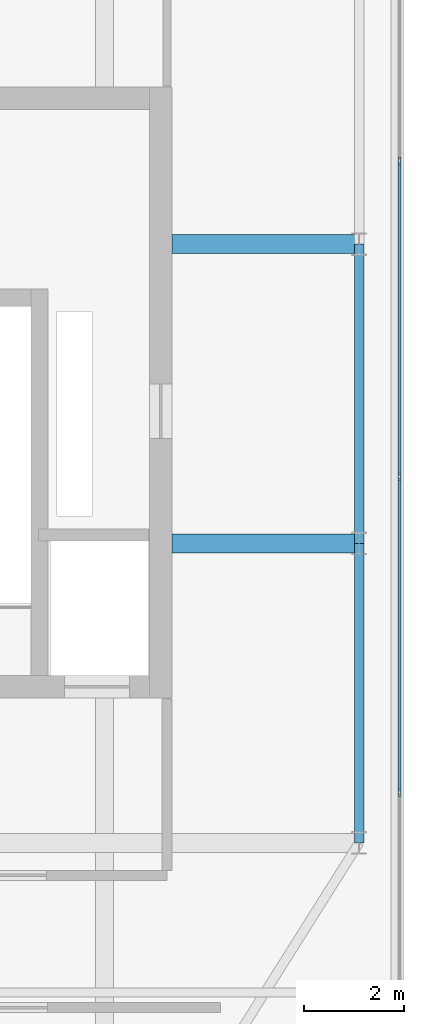
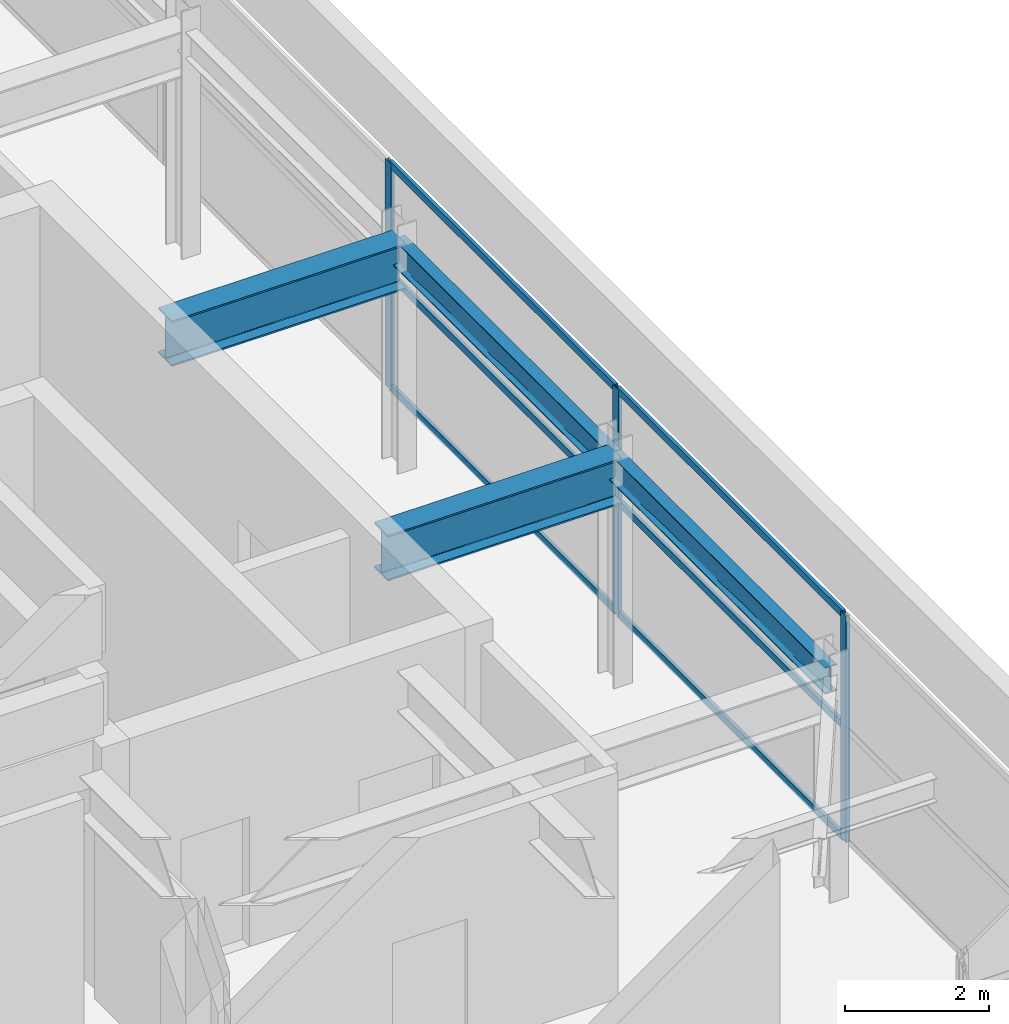
# One storey, part 17 of 33: 9 members, 4 beams, 1 element without a shape of its own.
"""IFC4 building model written with IfcOpenShell, lengths in metres."""

from ifc_helpers import new_model, si_unit, direction, frame, origin, origin_2d, place, context, subcontext, project, spatial, hollow_rectangle, i_section, extrude, source, transform, mapped, material, layer, layer_set, material_profile, profile_set, type_object, element, aggregate, save


model = new_model("IFC4")

# Units and contexts
model_context = context("Model", 3, precision=1e-05, world=origin(), true_north=direction((0.0, 1.0)))
body_context = subcontext(model_context, "Body", "Model", "MODEL_VIEW")
ifc_project = project(units=[si_unit("LENGTHUNIT", "METRE"), si_unit("AREAUNIT", "SQUARE_METRE"), si_unit("VOLUMEUNIT", "CUBIC_METRE"), si_unit("PLANEANGLEUNIT", "RADIAN"), si_unit("MASSUNIT", "GRAM", prefix="KILO")], contexts=[model_context])

# Site, building, storey
site_placement = place(None, origin())
site = spatial("IfcSite", under=ifc_project, at=site_placement, CompositionType="ELEMENT")
building_placement = place(site_placement, origin())
building = spatial("IfcBuilding", under=site, at=building_placement, Name="Khoralis Quay Care Tower", CompositionType="ELEMENT")
storey_placement = place(building_placement, frame((0.0, 0.0, 314.699951171875)))
storey = spatial("IfcBuildingStorey", under=building, at=storey_placement, Name="L82", CompositionType="ELEMENT", Elevation=314.699951171875)

# Beams
ifc_material_1 = material(Name="Steel S355", Category="steel")
ifc_material_profile_1 = material_profile(ifc_material_1, i_section(OverallWidth=0.18994140625, OverallDepth=0.449951171875, WebThickness=0.009521484375, FlangeThickness=0.0146484375, FilletRadius=0.02099609375, at=origin_2d()), Name="Steel S355")
ifc_profile_set_1 = profile_set([ifc_material_profile_1], Name="Steel S355")
beam_type_1 = type_object("IfcBeamType", Name="BM-IPE450", PredefinedType="SPANDREL", material=ifc_profile_set_1)
shared_shape_1 = source(origin(), body_context, "Body", "SweptSolid", [
    extrude(i_section(OverallWidth=0.18994140625, OverallDepth=0.449951171875, WebThickness=0.009521484375, FlangeThickness=0.0146484375, FilletRadius=0.02099609375, at=origin_2d()), origin(), (0.0, 0.0, 1.0), 6.0),
])
for number, where, z_axis, x_axis, name in (
    (1, (41.10009765625, 12.0, 3.614990234375), (0.0, 1.0, 0.0), (-1.0, 0.0, 0.0), "BM-TSP-L82-13"),
    (2, (41.10009765625, 18.0, 3.614990234375), (0.0, 1.0, 0.0), (-1.0, 0.0, 0.0), "BM-TSP-L82-14"),
):
    element("IfcBeam", number, at=place(storey_placement, frame(where, z_axis=z_axis, x_axis=x_axis)), inside=storey, type_object=beam_type_1, Name=name, PredefinedType="SPANDREL", context=body_context, shape_type="MappedRepresentation", body=[
        mapped(shared_shape_1, transform((0.0, 0.0, 0.0), scale=1.0)),
    ])
ifc_material_profile_2 = material_profile(ifc_material_1, i_section(OverallWidth=0.381103515625, OverallDepth=0.77294921875, WebThickness=0.0166015625, FlangeThickness=0.027587890625, FilletRadius=0.02197265625, at=origin_2d()), Name="Steel S355")
ifc_profile_set_2 = profile_set([ifc_material_profile_2], Name="Steel S355")
beam_type_2 = type_object("IfcBeamType", Name="BM-W760X257", PredefinedType="BEAM", material=ifc_profile_set_2)
shared_shape_2 = source(origin(), body_context, "Body", "SweptSolid", [
    extrude(i_section(OverallWidth=0.381103515625, OverallDepth=0.77294921875, WebThickness=0.0166015625, FlangeThickness=0.027587890625, FilletRadius=0.02197265625, at=origin_2d()), origin(), (0.0, 0.0, 1.0), 3.752197265625),
])
for number, where, z_axis, x_axis, name in (
    (3, (37.347900390625, 18.0, 3.45361328125), (1.0, 0.0, 0.0), (0.0, 1.0, 0.0), "BM-TGXE-L82-180"),
    (4, (37.347900390625, 24.0, 3.45361328125), (1.0, 0.0, 0.0), (0.0, 1.0, 0.0), "BM-TGXE-L82-240"),
):
    element("IfcBeam", number, at=place(storey_placement, frame(where, z_axis=z_axis, x_axis=x_axis)), inside=storey, type_object=beam_type_2, Name=name, PredefinedType="BEAM", context=body_context, shape_type="MappedRepresentation", body=[
        mapped(shared_shape_2, transform((0.0, 0.0, 0.0), scale=1.0)),
    ])

# Curtain wall, members
ifc_material_2 = material(Name="Pale anodised aluminium", Category="aluminium")
ifc_layer = layer(ifc_material_2, 0.199951171875)
ifc_layer_set = layer_set([ifc_layer], Name="Pale anodised aluminium")
curtain_wall_type = type_object("IfcCurtainWallType", Name="CW-SYS-LANTERN", PredefinedType="NOTDEFINED", material=ifc_layer_set)
curtain_wall_placement = place(storey_placement, origin())
curtain_wall = element("IfcCurtainWall", 5, at=curtain_wall_placement, inside=storey, type_object=curtain_wall_type, Name="L82 Unitised Curtain Wall CW-LN-L82-06", PredefinedType="NOTDEFINED")
ifc_material_profile_3 = material_profile(ifc_material_2, hollow_rectangle(XDim=0.054931640625, YDim=0.1201171875, WallThickness=0.00390625, at=origin_2d()), Name="Pale anodised aluminium")
ifc_profile_set_3 = profile_set([ifc_material_profile_3], Name="Pale anodised aluminium")
member_type_1 = type_object("IfcMemberType", Name="CW-TRN-120", PredefinedType="USERDEFINED", material=ifc_profile_set_3)
shared_shape_3 = source(origin(), body_context, "Body", "SweptSolid", [
    extrude(hollow_rectangle(XDim=0.054931640625, YDim=0.1201171875, WallThickness=0.00390625, at=origin_2d()), origin(), (0.0, 0.0, 1.0), 6.26416015625),
])
member_1_placement = place(storey_placement, frame((41.909912109375, 13.0439453125, 0.030029296875), z_axis=(0.0, 1.0, 0.0), x_axis=(-1.0, 0.0, 0.0)))
member_1 = element("IfcMember", 6, at=member_1_placement, type_object=member_type_1, Name="CW5 transom 2.1", ObjectType="TRANSOM", PredefinedType="USERDEFINED", context=body_context, shape_type="MappedRepresentation", body=[
    mapped(shared_shape_3, transform((0.0, 0.0, 0.0), scale=1.0)),
])
member_2_placement = place(storey_placement, frame((41.909912109375, 13.0439453125, 1.920166015625), z_axis=(0.0, 1.0, 0.0), x_axis=(-1.0, 0.0, 0.0)))
member_2 = element("IfcMember", 7, at=member_2_placement, type_object=member_type_1, Name="CW5 transom 2.2", ObjectType="TRANSOM", PredefinedType="USERDEFINED", context=body_context, shape_type="MappedRepresentation", body=[
    mapped(shared_shape_3, transform((0.0, 0.0, 0.0), scale=1.0)),
])
member_3_placement = place(storey_placement, frame((41.909912109375, 13.0439453125, 3.81005859375), z_axis=(0.0, 1.0, 0.0), x_axis=(-1.0, 0.0, 0.0)))
member_3 = element("IfcMember", 8, at=member_3_placement, type_object=member_type_1, Name="CW5 transom 2.3", ObjectType="TRANSOM", PredefinedType="USERDEFINED", context=body_context, shape_type="MappedRepresentation", body=[
    mapped(shared_shape_3, transform((0.0, 0.0, 0.0), scale=1.0)),
])
member_4_placement = place(storey_placement, frame((41.909912109375, 19.367919921875, 0.030029296875), z_axis=(0.0, 1.0, 0.0), x_axis=(-1.0, 0.0, 0.0)))
member_4 = element("IfcMember", 9, at=member_4_placement, type_object=member_type_1, Name="CW5 transom 3.1", ObjectType="TRANSOM", PredefinedType="USERDEFINED", context=body_context, shape_type="MappedRepresentation", body=[
    mapped(shared_shape_3, transform((0.0, 0.0, 0.0), scale=1.0)),
])
member_5_placement = place(storey_placement, frame((41.909912109375, 19.367919921875, 1.920166015625), z_axis=(0.0, 1.0, 0.0), x_axis=(-1.0, 0.0, 0.0)))
member_5 = element("IfcMember", 10, at=member_5_placement, type_object=member_type_1, Name="CW5 transom 3.2", ObjectType="TRANSOM", PredefinedType="USERDEFINED", context=body_context, shape_type="MappedRepresentation", body=[
    mapped(shared_shape_3, transform((0.0, 0.0, 0.0), scale=1.0)),
])
member_6_placement = place(storey_placement, frame((41.909912109375, 19.367919921875, 3.81005859375), z_axis=(0.0, 1.0, 0.0), x_axis=(-1.0, 0.0, 0.0)))
member_6 = element("IfcMember", 11, at=member_6_placement, type_object=member_type_1, Name="CW5 transom 3.3", ObjectType="TRANSOM", PredefinedType="USERDEFINED", context=body_context, shape_type="MappedRepresentation", body=[
    mapped(shared_shape_3, transform((0.0, 0.0, 0.0), scale=1.0)),
])
ifc_material_profile_4 = material_profile(ifc_material_2, hollow_rectangle(XDim=0.06005859375, YDim=0.159912109375, WallThickness=0.00390625, at=origin_2d()), Name="Pale anodised aluminium")
ifc_profile_set_4 = profile_set([ifc_material_profile_4], Name="Pale anodised aluminium")
member_type_2 = type_object("IfcMemberType", Name="CW-MUL-160", PredefinedType="MULLION", material=ifc_profile_set_4)
shared_shape_4 = source(origin(), body_context, "Body", "SweptSolid", [
    extrude(hollow_rectangle(XDim=0.06005859375, YDim=0.159912109375, WallThickness=0.00390625, at=origin_2d()), origin(), (0.0, 0.0, 1.0), 3.840087890625),
])
member_7_placement = place(storey_placement, frame((41.909912109375, 13.013916015625, 0.0), z_axis=(0.0, 0.0, 1.0), x_axis=(-1.0, 0.0, 0.0)))
member_7 = element("IfcMember", 12, at=member_7_placement, type_object=member_type_2, Name="CW5 mullion 2", PredefinedType="MULLION", context=body_context, shape_type="MappedRepresentation", body=[
    mapped(shared_shape_4, transform((0.0, 0.0, 0.0), scale=1.0)),
])
member_8_placement = place(storey_placement, frame((41.909912109375, 19.337890625, 0.0), z_axis=(0.0, 0.0, 1.0), x_axis=(-1.0, 0.0, 0.0)))
member_8 = element("IfcMember", 13, at=member_8_placement, type_object=member_type_2, Name="CW5 mullion 3", PredefinedType="MULLION", context=body_context, shape_type="MappedRepresentation", body=[
    mapped(shared_shape_4, transform((0.0, 0.0, 0.0), scale=1.0)),
])
member_9_placement = place(storey_placement, frame((41.909912109375, 25.662109375, 0.0), z_axis=(0.0, 0.0, 1.0), x_axis=(-1.0, 0.0, 0.0)))
member_9 = element("IfcMember", 14, at=member_9_placement, type_object=member_type_2, Name="CW5 mullion 4", PredefinedType="MULLION", context=body_context, shape_type="MappedRepresentation", body=[
    mapped(shared_shape_4, transform((0.0, 0.0, 0.0), scale=1.0)),
])
aggregate(curtain_wall, [member_7, member_8, member_9, member_1, member_2, member_3, member_4, member_5, member_6])

save(model, "model.ifc")
